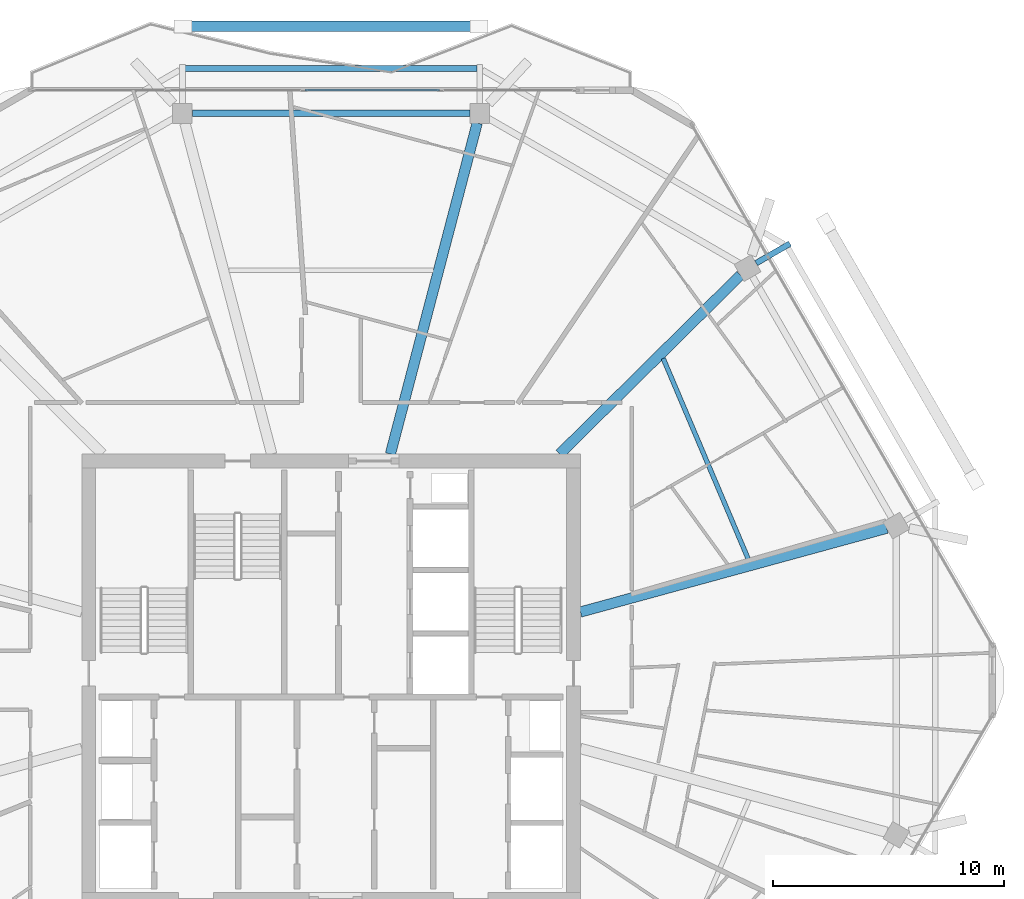
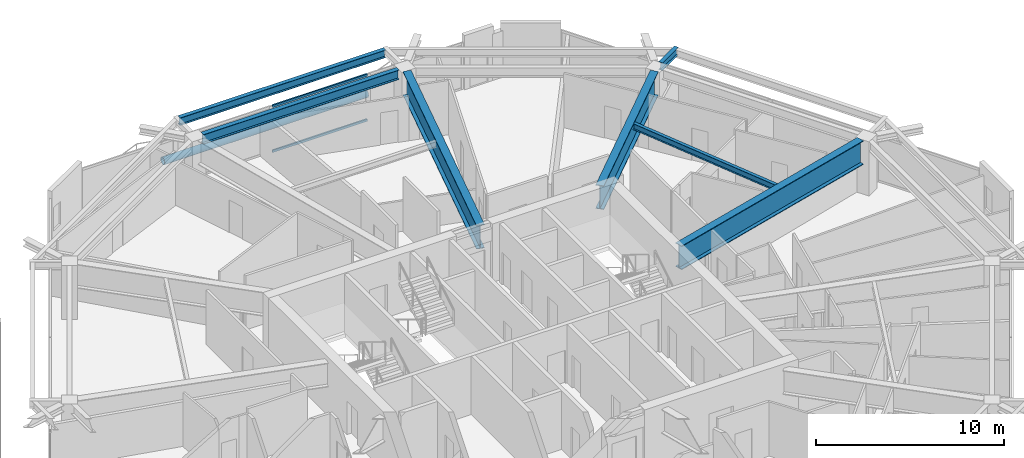
# One storey, part 15 of 26: 7 beams, 3 members, 1 element without a shape of its own.
"""IFC4 building model written with IfcOpenShell, lengths in metres."""

from ifc_helpers import new_model, si_unit, direction, frame, origin, origin_2d, place, context, subcontext, project, spatial, hollow_rectangle, hollow_circle, i_section, extrude, material, material_profile, profile_set, type_object, element, aggregate, save


model = new_model("IFC4")

# Units and contexts
model_context = context("Model", 3, precision=1e-05, world=origin(), true_north=direction((0.0, 1.0)))
body_context = subcontext(model_context, "Body", "Model", "MODEL_VIEW")
ifc_project = project(units=[si_unit("LENGTHUNIT", "METRE"), si_unit("AREAUNIT", "SQUARE_METRE"), si_unit("VOLUMEUNIT", "CUBIC_METRE"), si_unit("PLANEANGLEUNIT", "RADIAN"), si_unit("MASSUNIT", "GRAM", prefix="KILO")], contexts=[model_context])

# Site, building, storey
site_placement = place(None, origin())
site = spatial("IfcSite", under=ifc_project, at=site_placement, CompositionType="ELEMENT")
building_placement = place(site_placement, origin())
building = spatial("IfcBuilding", under=site, at=building_placement, Name="Zuhravey Tower", CompositionType="ELEMENT")
storey_placement = place(building_placement, frame((0.0, 0.0, 299.60009765625)))
storey = spatial("IfcBuildingStorey", under=building, at=storey_placement, Name="L76", CompositionType="ELEMENT", Elevation=299.60009765625)

# Curtain wall, members
ifc_material_1 = material(Name="Thermally broken anodised aluminium", Category="aluminium")
curtain_wall_type = type_object("IfcCurtainWallType", Name="Zone 3-4 High-Rise Curtain Wall CW4", PredefinedType="NOTDEFINED", material=ifc_material_1)
curtain_wall_placement = place(storey_placement, origin())
curtain_wall = element("IfcCurtainWall", 1, at=curtain_wall_placement, inside=storey, type_object=curtain_wall_type, Name="L76 CW4 CW-L76-F2-1", PredefinedType="NOTDEFINED")
ifc_material_2 = material(Name="Anodised aluminium", Category="aluminium")
ifc_material_profile_1 = material_profile(ifc_material_2, hollow_rectangle(XDim=0.090087890625, YDim=0.14990234375, WallThickness=0.0048828125, at=origin_2d()), Name="ALU-RHS-90x150x5")
ifc_profile_set_1 = profile_set([ifc_material_profile_1], Name="Anodised aluminium")
member_type_1 = type_object("IfcMemberType", Name="Curtain-Wall Transom 90x150", PredefinedType="USERDEFINED", material=ifc_profile_set_1)
member_1_placement = place(storey_placement, frame((34.8701171875, 57.563720703125, 0.044921875), z_axis=(1.0, 0.0, 0.0), x_axis=(0.0, 1.0, 0.0)))
member_1 = element("IfcMember", 2, at=member_1_placement, type_object=member_type_1, Name="CW4 transom 3.1", ObjectType="TRANSOM", PredefinedType="USERDEFINED", context=body_context, shape_type="SweptSolid", body=[
    extrude(hollow_rectangle(XDim=0.090087890625, YDim=0.14990234375, WallThickness=0.0048828125, at=origin_2d()), origin(), (0.0, 0.0, 1.0), 5.82861328125),
])
member_2_placement = place(storey_placement, frame((34.8701171875, 57.563720703125, 2.974853515625), z_axis=(1.0, 0.0, 0.0), x_axis=(0.0, 1.0, 0.0)))
member_2 = element("IfcMember", 3, at=member_2_placement, type_object=member_type_1, Name="CW4 transom 3.2", ObjectType="TRANSOM", PredefinedType="USERDEFINED", context=body_context, shape_type="SweptSolid", body=[
    extrude(hollow_rectangle(XDim=0.090087890625, YDim=0.14990234375, WallThickness=0.0048828125, at=origin_2d()), origin(), (0.0, 0.0, 1.0), 5.82861328125),
])
aggregate(curtain_wall, [member_1, member_2])

# Member
ifc_material_3 = material(Name="Steel SM355", Category="steel")
ifc_material_profile_2 = material_profile(ifc_material_3, hollow_circle(Radius=0.228515625, WallThickness=0.02197265625, at=origin_2d()), Name="CHS-457.2x22")
ifc_profile_set_2 = profile_set([ifc_material_profile_2], Name="Steel SM355")
member_type_2 = type_object("IfcMemberType", Name="Exoskeleton Ring Tie CHS457x22", PredefinedType="CHORD", material=ifc_profile_set_2)
member_3_placement = place(storey_placement, frame((42.267578125, 60.323486328125, -0.464111328125), z_axis=(-1.0, 0.0, 0.0), x_axis=(0.0, -1.0, 0.0)))
element("IfcMember", 4, at=member_3_placement, inside=storey, type_object=member_type_2, Name="L76 Exoskeleton Face 2 Tie EXR1", PredefinedType="CHORD", context=body_context, shape_type="SweptSolid", body=[
    extrude(hollow_circle(Radius=0.228515625, WallThickness=0.02197265625, at=origin_2d()), origin(), (0.0, 0.0, 1.0), 12.53515625),
])

# Beams
ifc_material_4 = material(Name="Steel SM460", Category="steel")
ifc_material_profile_3 = material_profile(ifc_material_4, i_section(OverallWidth=0.449951171875, OverallDepth=1.550048828125, WebThickness=0.02587890625, FlangeThickness=0.0419921875, at=origin_2d()), Name="H-1550x450x26x42")
ifc_profile_set_3 = profile_set([ifc_material_profile_3], Name="Steel SM460")
beam_type_1 = type_object("IfcBeamType", Name="Heavy Setback Transfer Girder H1550x450", PredefinedType="BEAM", material=ifc_profile_set_3)
beam_1_placement = place(storey_placement, frame((46.802978515625, 34.95556640625, 2.744873046875), z_axis=(0.964549305009, 0.263902705947, 0.0), x_axis=(-0.263902705947, 0.964549305009, 0.0)))
element("IfcBeam", 5, at=beam_1_placement, inside=storey, type_object=beam_type_1, Name="L76 TG3 BM-L76-RAD-01", PredefinedType="BEAM", context=body_context, shape_type="SweptSolid", body=[
    extrude(i_section(OverallWidth=0.449951171875, OverallDepth=1.550048828125, WebThickness=0.02587890625, FlangeThickness=0.0419921875, at=origin_2d()), origin(), (0.0, 0.0, 1.0), 13.756591796875),
])
beam_2_placement = place(storey_placement, frame((45.90673828125, 41.802978515625, 2.744873046875), z_axis=(0.710808169267, 0.70338591577, 0.0), x_axis=(-0.70338591577, 0.710808169267, 0.0)))
element("IfcBeam", 6, at=beam_2_placement, inside=storey, type_object=beam_type_1, Name="L76 TG3 BM-L76-RAD-02", PredefinedType="BEAM", context=body_context, shape_type="SweptSolid", body=[
    extrude(i_section(OverallWidth=0.449951171875, OverallDepth=1.550048828125, WebThickness=0.02587890625, FlangeThickness=0.0419921875, at=origin_2d()), origin(), (0.0, 0.0, 1.0), 11.019287109375),
])
beam_3_placement = place(storey_placement, frame((38.571533203125, 41.802978515625, 2.744873046875), z_axis=(0.25373188956, 0.967274587809, 0.0), x_axis=(-0.967274587809, 0.25373188956, 0.0)))
element("IfcBeam", 7, at=beam_3_placement, inside=storey, type_object=beam_type_1, Name="L76 TG3 BM-L76-RAD-03", PredefinedType="BEAM", context=body_context, shape_type="SweptSolid", body=[
    extrude(i_section(OverallWidth=0.449951171875, OverallDepth=1.550048828125, WebThickness=0.02587890625, FlangeThickness=0.0419921875, at=origin_2d()), origin(), (0.0, 0.0, 1.0), 14.82177734375),
])
ifc_material_profile_4 = material_profile(ifc_material_3, i_section(OverallWidth=0.280029296875, OverallDepth=0.6201171875, WebThickness=0.011962890625, FlangeThickness=0.02001953125, at=origin_2d()), Name="H-620x280x12x20")
ifc_profile_set_4 = profile_set([ifc_material_profile_4], Name="Steel SM355")
beam_type_2 = type_object("IfcBeamType", Name="Perimeter Ring Beam H620x280", PredefinedType="BEAM", material=ifc_profile_set_4)
beam_4_placement = place(storey_placement, frame((42.012939453125, 56.5537109375, 3.2099609375), z_axis=(-1.0, 0.0, 0.0), x_axis=(0.0, -1.0, 0.0)))
element("IfcBeam", 8, at=beam_4_placement, inside=storey, type_object=beam_type_2, Name="L76 PB3 BM-L76-PB-03", PredefinedType="BEAM", context=body_context, shape_type="SweptSolid", body=[
    extrude(i_section(OverallWidth=0.280029296875, OverallDepth=0.6201171875, WebThickness=0.011962890625, FlangeThickness=0.02001953125, at=origin_2d()), origin(), (0.0, 0.0, 1.0), 12.02587890625),
])
ifc_material_profile_5 = material_profile(ifc_material_3, i_section(OverallWidth=0.199951171875, OverallDepth=0.39990234375, WebThickness=0.008056640625, FlangeThickness=0.012939453125, at=origin_2d()), Name="H-400x200x8x13")
ifc_profile_set_5 = profile_set([ifc_material_profile_5], Name="Steel SM355")
beam_type_3 = type_object("IfcBeamType", Name="Secondary Floor Joist H400x200", PredefinedType="JOIST", material=ifc_profile_set_5)
beam_5_placement = place(storey_placement, frame((54.1015625, 37.187744140625, 3.31982421875), z_axis=(-0.39039551833, 0.92064723932, 0.0), x_axis=(-0.92064723932, -0.39039551833, 0.0)))
element("IfcBeam", 9, at=beam_5_placement, inside=storey, type_object=beam_type_3, Name="L76 SJ2 BM-L76-SJ-01-1", PredefinedType="JOIST", context=body_context, shape_type="SweptSolid", body=[
    extrude(i_section(OverallWidth=0.199951171875, OverallDepth=0.39990234375, WebThickness=0.008056640625, FlangeThickness=0.012939453125, at=origin_2d()), origin(), (0.0, 0.0, 1.0), 9.5068359375),
])
ifc_material_profile_6 = material_profile(ifc_material_3, i_section(OverallWidth=0.25, OverallDepth=0.5, WebThickness=0.010009765625, FlangeThickness=0.01611328125, at=origin_2d()), Name="H-500x250x10x16")
ifc_profile_set_6 = profile_set([ifc_material_profile_6], Name="Steel SM355")
beam_type_4 = type_object("IfcBeamType", Name="Tray Cantilever Spandrel H500x250", PredefinedType="SPANDREL", material=ifc_profile_set_6)
beam_6_placement = place(storey_placement, frame((54.4150390625, 50.069091796875, 3.27001953125), z_axis=(0.865995664872, 0.50005150577, 0.0), x_axis=(-0.50005150577, 0.865995664872, 0.0)))
element("IfcBeam", 10, at=beam_6_placement, inside=storey, type_object=beam_type_4, Name="L76 Sky-Tray Cantilever Arm TSB1-R02", PredefinedType="SPANDREL", context=body_context, shape_type="SweptSolid", body=[
    extrude(i_section(OverallWidth=0.25, OverallDepth=0.5, WebThickness=0.010009765625, FlangeThickness=0.01611328125, at=origin_2d()), origin(), (0.0, 0.0, 1.0), 1.691162109375),
])
beam_7_placement = place(storey_placement, frame((42.31787109375, 58.503662109375, 3.27001953125), z_axis=(-1.0, 0.0, 0.0), x_axis=(0.0, -1.0, 0.0)))
element("IfcBeam", 11, at=beam_7_placement, inside=storey, type_object=beam_type_4, Name="L76 Sky-Tray Edge Spandrel TSB1-03", PredefinedType="SPANDREL", context=body_context, shape_type="SweptSolid", body=[
    extrude(i_section(OverallWidth=0.25, OverallDepth=0.5, WebThickness=0.010009765625, FlangeThickness=0.01611328125, at=origin_2d()), origin(), (0.0, 0.0, 1.0), 12.6357421875),
])

save(model, "model.ifc")
